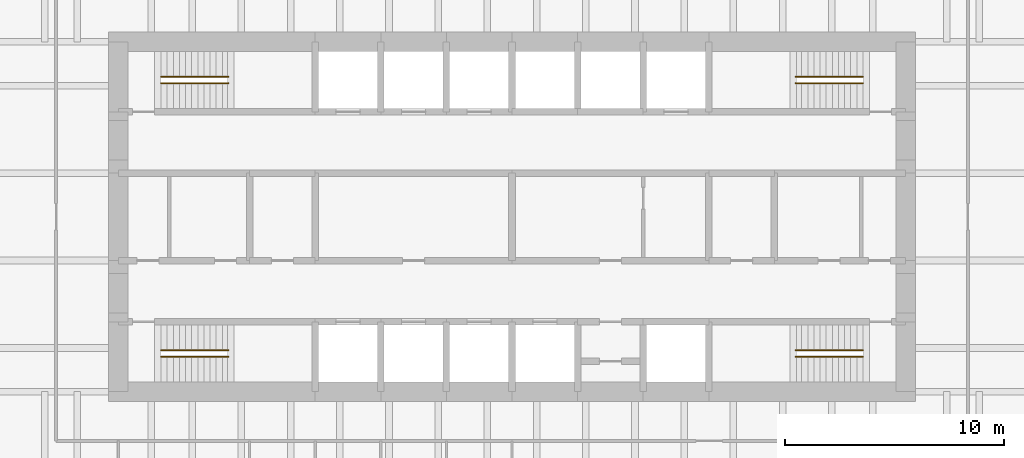
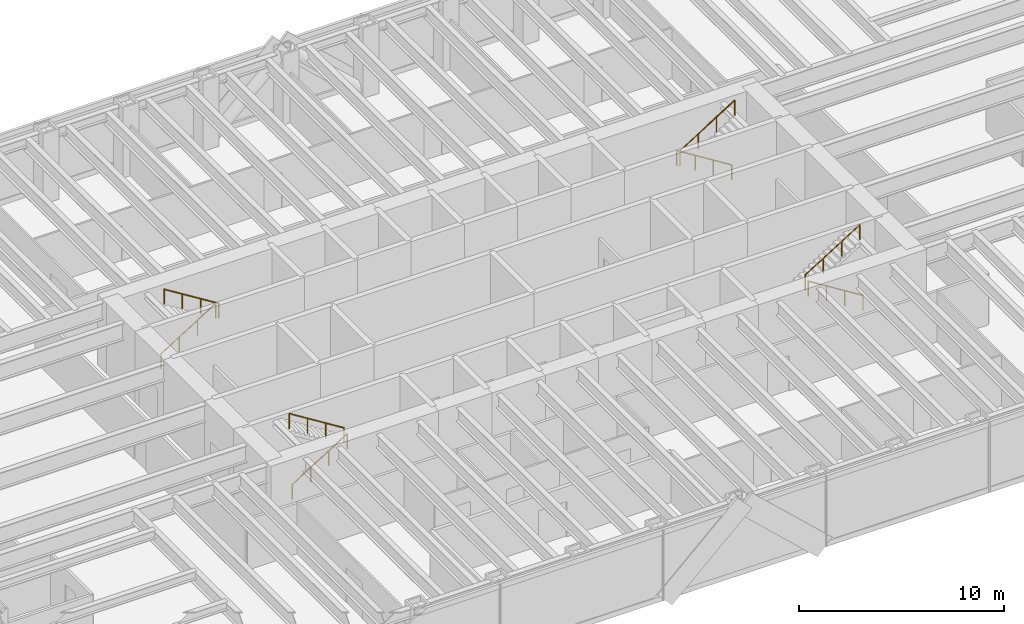
# One storey, part 17 of 17: 8 railings.
"""IFC4 building model written with IfcOpenShell, lengths in metres."""

from ifc_helpers import new_model, si_unit, direction, frame, origin, origin_2d, place, context, subcontext, project, spatial, circle, extrude, material, type_object, element, save


model = new_model("IFC4")

# Units and contexts
model_context = context("Model", 3, precision=1e-05, world=origin(), true_north=direction((0.0, 1.0)))
body_context = subcontext(model_context, "Body", "Model", "MODEL_VIEW")
ifc_project = project(units=[si_unit("LENGTHUNIT", "METRE"), si_unit("AREAUNIT", "SQUARE_METRE"), si_unit("VOLUMEUNIT", "CUBIC_METRE"), si_unit("PLANEANGLEUNIT", "RADIAN"), si_unit("MASSUNIT", "GRAM", prefix="KILO")], contexts=[model_context])

# Site, building, storey
site_placement = place(None, origin())
site = spatial("IfcSite", under=ifc_project, at=site_placement, CompositionType="ELEMENT")
building_placement = place(site_placement, origin())
building = spatial("IfcBuilding", under=site, at=building_placement, Name="Rheinbord Bourse Tower", CompositionType="ELEMENT")
storey_placement = place(building_placement, frame((0.0, 0.0, 121.5)))
storey = spatial("IfcBuildingStorey", under=building, at=storey_placement, Name="L26", CompositionType="ELEMENT", Elevation=121.5)

# Railings
ifc_material = material(Name="Steel handrail", Category="steel")
railing_type = type_object("IfcRailingType", Name="HANDRAIL 900", PredefinedType="HANDRAIL", material=ifc_material)
railing_1_placement = place(storey_placement, frame((19.949951171875, 17.60009765625, 0.175048828125)))
element("IfcRailing", 1, at=railing_1_placement, inside=storey, type_object=railing_type, Name="Handrail", PredefinedType="HANDRAIL", context=body_context, shape_type="SweptSolid", body=[
    extrude(circle(Radius=0.02392578125, at=origin_2d()), frame((0.0, 0.0, 0.8759765625), z_axis=(0.847998304005, 0.0, 0.529998940003), x_axis=(0.0, 1.0, 0.0)), (0.0, 0.0, 1.0), 3.632080078125),
    extrude(circle(Radius=0.02099609375, at=origin_2d()), origin(), (0.0, 0.0, 1.0), 0.851806640625),
    extrude(circle(Radius=0.02099609375, at=origin_2d()), frame((1.026611328125, 0.0, 0.6416015625)), (0.0, 0.0, 1.0), 0.851806640625),
    extrude(circle(Radius=0.02099609375, at=origin_2d()), frame((2.053466796875, 0.0, 1.283447265625)), (0.0, 0.0, 1.0), 0.851806640625),
    extrude(circle(Radius=0.02099609375, at=origin_2d()), frame((3.080078125, 0.0, 1.925048828125)), (0.0, 0.0, 1.0), 0.851806640625),
])
railing_2_placement = place(storey_placement, frame((23.030029296875, 17.89990234375, 2.27490234375)))
element("IfcRailing", 2, at=railing_2_placement, inside=storey, type_object=railing_type, Name="Handrail", PredefinedType="HANDRAIL", context=body_context, shape_type="SweptSolid", body=[
    extrude(circle(Radius=0.02392578125, at=origin_2d()), frame((0.0, 0.0, 0.8759765625), z_axis=(-0.847998304005, 0.0, 0.529998940003), x_axis=(0.0, -1.0, 0.0)), (0.0, 0.0, 1.0), 3.632080078125),
    extrude(circle(Radius=0.02099609375, at=origin_2d()), origin(), (0.0, 0.0, 1.0), 0.851806640625),
    extrude(circle(Radius=0.02099609375, at=origin_2d()), frame((-1.026611328125, 0.0, 0.6416015625)), (0.0, 0.0, 1.0), 0.851806640625),
    extrude(circle(Radius=0.02099609375, at=origin_2d()), frame((-2.053466796875, 0.0, 1.283447265625)), (0.0, 0.0, 1.0), 0.851806640625),
    extrude(circle(Radius=0.02099609375, at=origin_2d()), frame((-3.080078125, 0.0, 1.925048828125)), (0.0, 0.0, 1.0), 0.851806640625),
])
railing_3_placement = place(storey_placement, frame((19.949951171875, 30.39990234375, 0.175048828125)))
element("IfcRailing", 3, at=railing_3_placement, inside=storey, type_object=railing_type, Name="Handrail", PredefinedType="HANDRAIL", context=body_context, shape_type="SweptSolid", body=[
    extrude(circle(Radius=0.02392578125, at=origin_2d()), frame((0.0, 0.0, 0.8759765625), z_axis=(0.847998304005, 0.0, 0.529998940003), x_axis=(0.0, 1.0, 0.0)), (0.0, 0.0, 1.0), 3.632080078125),
    extrude(circle(Radius=0.02099609375, at=origin_2d()), origin(), (0.0, 0.0, 1.0), 0.851806640625),
    extrude(circle(Radius=0.02099609375, at=origin_2d()), frame((1.026611328125, 0.0, 0.6416015625)), (0.0, 0.0, 1.0), 0.851806640625),
    extrude(circle(Radius=0.02099609375, at=origin_2d()), frame((2.053466796875, 0.0, 1.283447265625)), (0.0, 0.0, 1.0), 0.851806640625),
    extrude(circle(Radius=0.02099609375, at=origin_2d()), frame((3.080078125, 0.0, 1.925048828125)), (0.0, 0.0, 1.0), 0.851806640625),
])
for number, where, name in (
    (4, (23.030029296875, 30.10009765625, 2.27490234375), "Handrail"),
    (5, (52.050048828125, 17.60009765625, 0.175048828125), "Handrail"),
):
    element("IfcRailing", number, at=place(storey_placement, frame(where)), inside=storey, type_object=railing_type, Name=name, PredefinedType="HANDRAIL", context=body_context, shape_type="SweptSolid", body=[
        extrude(circle(Radius=0.02392578125, at=origin_2d()), frame((0.0, 0.0, 0.8759765625), z_axis=(-0.847998304005, 0.0, 0.529998940003), x_axis=(0.0, -1.0, 0.0)), (0.0, 0.0, 1.0), 3.632080078125),
        extrude(circle(Radius=0.02099609375, at=origin_2d()), origin(), (0.0, 0.0, 1.0), 0.851806640625),
        extrude(circle(Radius=0.02099609375, at=origin_2d()), frame((-1.026611328125, 0.0, 0.6416015625)), (0.0, 0.0, 1.0), 0.851806640625),
        extrude(circle(Radius=0.02099609375, at=origin_2d()), frame((-2.053466796875, 0.0, 1.283447265625)), (0.0, 0.0, 1.0), 0.851806640625),
        extrude(circle(Radius=0.02099609375, at=origin_2d()), frame((-3.080078125, 0.0, 1.925048828125)), (0.0, 0.0, 1.0), 0.851806640625),
    ])
railing_4_placement = place(storey_placement, frame((48.969970703125, 17.89990234375, 2.27490234375)))
element("IfcRailing", 6, at=railing_4_placement, inside=storey, type_object=railing_type, Name="Handrail", PredefinedType="HANDRAIL", context=body_context, shape_type="SweptSolid", body=[
    extrude(circle(Radius=0.02392578125, at=origin_2d()), frame((0.0, 0.0, 0.8759765625), z_axis=(0.847998304005, 0.0, 0.529998940003), x_axis=(0.0, 1.0, 0.0)), (0.0, 0.0, 1.0), 3.632080078125),
    extrude(circle(Radius=0.02099609375, at=origin_2d()), origin(), (0.0, 0.0, 1.0), 0.851806640625),
    extrude(circle(Radius=0.02099609375, at=origin_2d()), frame((1.026611328125, 0.0, 0.6416015625)), (0.0, 0.0, 1.0), 0.851806640625),
    extrude(circle(Radius=0.02099609375, at=origin_2d()), frame((2.053466796875, 0.0, 1.283447265625)), (0.0, 0.0, 1.0), 0.851806640625),
    extrude(circle(Radius=0.02099609375, at=origin_2d()), frame((3.080078125, 0.0, 1.925048828125)), (0.0, 0.0, 1.0), 0.851806640625),
])
railing_5_placement = place(storey_placement, frame((52.050048828125, 30.39990234375, 0.175048828125)))
element("IfcRailing", 7, at=railing_5_placement, inside=storey, type_object=railing_type, Name="Handrail", PredefinedType="HANDRAIL", context=body_context, shape_type="SweptSolid", body=[
    extrude(circle(Radius=0.02392578125, at=origin_2d()), frame((0.0, 0.0, 0.8759765625), z_axis=(-0.847998304005, 0.0, 0.529998940003), x_axis=(0.0, -1.0, 0.0)), (0.0, 0.0, 1.0), 3.632080078125),
    extrude(circle(Radius=0.02099609375, at=origin_2d()), origin(), (0.0, 0.0, 1.0), 0.851806640625),
    extrude(circle(Radius=0.02099609375, at=origin_2d()), frame((-1.026611328125, 0.0, 0.6416015625)), (0.0, 0.0, 1.0), 0.851806640625),
    extrude(circle(Radius=0.02099609375, at=origin_2d()), frame((-2.053466796875, 0.0, 1.283447265625)), (0.0, 0.0, 1.0), 0.851806640625),
    extrude(circle(Radius=0.02099609375, at=origin_2d()), frame((-3.080078125, 0.0, 1.925048828125)), (0.0, 0.0, 1.0), 0.851806640625),
])
railing_6_placement = place(storey_placement, frame((48.969970703125, 30.10009765625, 2.27490234375)))
element("IfcRailing", 8, at=railing_6_placement, inside=storey, type_object=railing_type, Name="Handrail", PredefinedType="HANDRAIL", context=body_context, shape_type="SweptSolid", body=[
    extrude(circle(Radius=0.02392578125, at=origin_2d()), frame((0.0, 0.0, 0.8759765625), z_axis=(0.847998304005, 0.0, 0.529998940003), x_axis=(0.0, 1.0, 0.0)), (0.0, 0.0, 1.0), 3.632080078125),
    extrude(circle(Radius=0.02099609375, at=origin_2d()), origin(), (0.0, 0.0, 1.0), 0.851806640625),
    extrude(circle(Radius=0.02099609375, at=origin_2d()), frame((1.026611328125, 0.0, 0.6416015625)), (0.0, 0.0, 1.0), 0.851806640625),
    extrude(circle(Radius=0.02099609375, at=origin_2d()), frame((2.053466796875, 0.0, 1.283447265625)), (0.0, 0.0, 1.0), 0.851806640625),
    extrude(circle(Radius=0.02099609375, at=origin_2d()), frame((3.080078125, 0.0, 1.925048828125)), (0.0, 0.0, 1.0), 0.851806640625),
])

save(model, "model.ifc")
